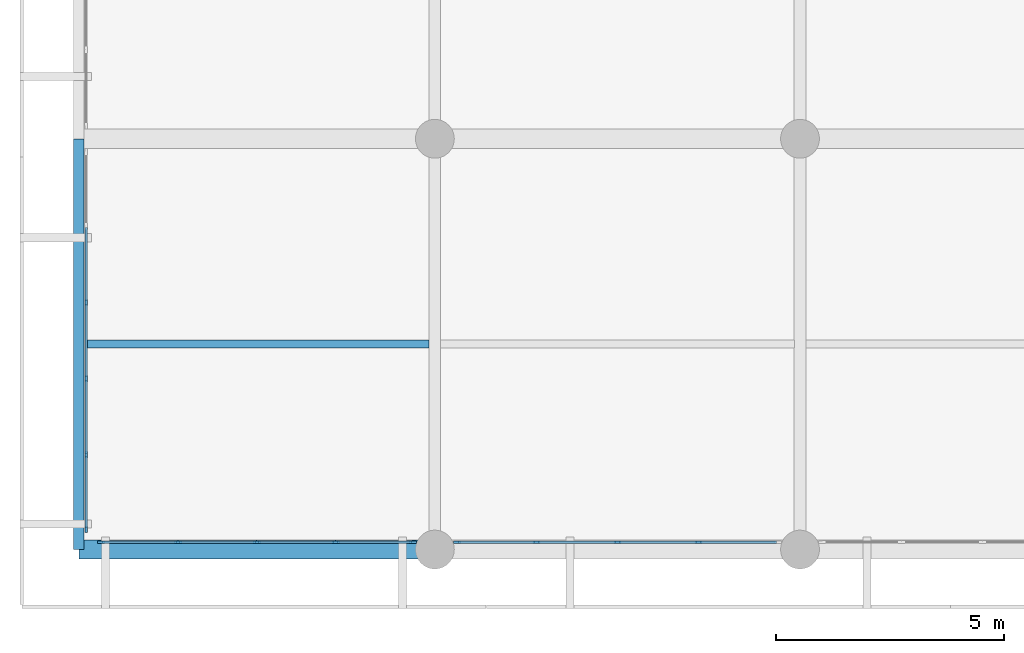
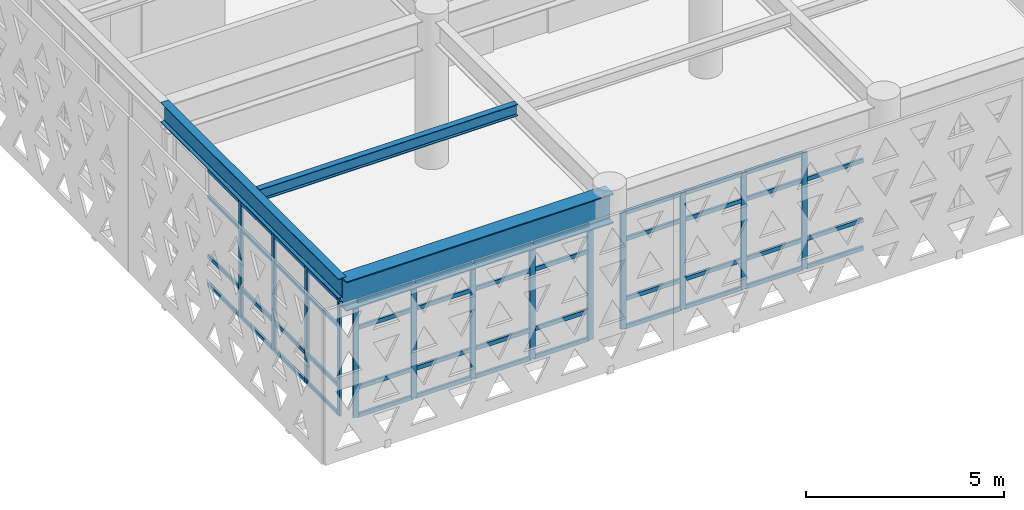
# One storey, part 6 of 54: 60 members, 3 beams, 3 elements without a shape of their own.
"""IFC4 building model written with IfcOpenShell, lengths in metres."""

from ifc_helpers import new_model, si_unit, direction, frame, origin, origin_2d, place, context, subcontext, project, spatial, rectangle, i_section, extrude, material, layer, layer_set, material_profile, profile_set, type_object, element, aggregate, save


model = new_model("IFC4")

# Units and contexts
model_context = context("Model", 3, precision=1e-05, world=origin(), true_north=direction((0.0, 1.0)))
body_context = subcontext(model_context, "Body", "Model", "MODEL_VIEW")
ifc_project = project(units=[si_unit("LENGTHUNIT", "METRE"), si_unit("AREAUNIT", "SQUARE_METRE"), si_unit("VOLUMEUNIT", "CUBIC_METRE"), si_unit("PLANEANGLEUNIT", "RADIAN"), si_unit("MASSUNIT", "GRAM", prefix="KILO")], contexts=[model_context])

# Site, building, storey
site_placement = place(None, origin())
site = spatial("IfcSite", under=ifc_project, at=site_placement, CompositionType="ELEMENT")
building_placement = place(site_placement, origin())
building = spatial("IfcBuilding", under=site, at=building_placement, Name="Tlacozan Convention Centre", CompositionType="ELEMENT")
storey_placement = place(building_placement, frame((0.0, 0.0, 11.39990234375)))
storey = spatial("IfcBuildingStorey", under=building, at=storey_placement, Name="L02", CompositionType="ELEMENT", Elevation=11.39990234375)

# Beam
ifc_material_1 = material(Name="Steel ASTM A992 Grade 50", Category="steel")
ifc_material_profile_1 = material_profile(ifc_material_1, i_section(OverallWidth=0.41796875, OverallDepth=0.912109375, WebThickness=0.019287109375, FlangeThickness=0.031982421875, FilletRadius=0.02001953125, at=origin_2d()), Name="IR 914x342.0")
ifc_profile_set_1 = profile_set([ifc_material_profile_1], Name="Steel ASTM A992 Grade 50")
beam_type_1 = type_object("IfcBeamType", Name="Cantilever Girder IR 914x342", PredefinedType="BEAM", material=ifc_profile_set_1)
beam_1_placement = place(storey_placement, frame((8.0, 0.0, 4.093994140625), z_axis=(-1.0, 0.0, 0.0), x_axis=(0.0, -1.0, 0.0)))
element("IfcBeam", 1, at=beam_1_placement, inside=storey, type_object=beam_type_1, Name="L02 Cantilever Girder IR 914x342 449", PredefinedType="BEAM", context=body_context, shape_type="SweptSolid", body=[
    extrude(i_section(OverallWidth=0.41796875, OverallDepth=0.912109375, WebThickness=0.019287109375, FlangeThickness=0.031982421875, FilletRadius=0.02001953125, at=origin_2d()), origin(), (0.0, 0.0, 1.0), 7.800048828125),
])

# Curtain wall, members
ifc_material_2 = material(Name="Dark Bronze Anodised Aluminium", Category="aluminium")
ifc_layer_1 = layer(ifc_material_2, 0.159912109375)
ifc_layer_set_1 = layer_set([ifc_layer_1], Name="Dark Bronze Anodised Aluminium")
curtain_wall_type_1 = type_object("IfcCurtainWallType", Name="Unitised Congress Gable End CW06", PredefinedType="NOTDEFINED", material=ifc_layer_set_1)
curtain_wall_1_placement = place(storey_placement, origin())
curtain_wall_1 = element("IfcCurtainWall", 2, at=curtain_wall_1_placement, inside=storey, type_object=curtain_wall_type_1, Name="L02 CW-06 Run 96", PredefinedType="NOTDEFINED")
ifc_material_profile_2 = material_profile(ifc_material_2, rectangle(XDim=0.06005859375, YDim=0.139892578125, at=origin_2d()), Name="ALU 60x140")
ifc_profile_set_2 = profile_set([ifc_material_profile_2], Name="Dark Bronze Anodised Aluminium")
member_type_1 = type_object("IfcMemberType", Name="Curtain Wall Light Mullion 60x140", PredefinedType="MULLION", material=ifc_profile_set_2)
member_1_placement = place(storey_placement, frame((0.360107421875, 0.43994140625, 0.0), z_axis=(0.0, 0.0, 1.0), x_axis=(-1.0, 0.0, 0.0)))
member_1 = element("IfcMember", 3, at=member_1_placement, type_object=member_type_1, Name="CW-06 mullion 1", PredefinedType="MULLION", context=body_context, shape_type="SweptSolid", body=[
    extrude(rectangle(XDim=0.06005859375, YDim=0.139892578125, at=origin_2d()), origin(), (0.0, 0.0, 1.0), 3.590087890625),
])
member_2_placement = place(storey_placement, frame((0.360107421875, 2.077880859375, 0.0), z_axis=(0.0, 0.0, 1.0), x_axis=(-1.0, 0.0, 0.0)))
member_2 = element("IfcMember", 4, at=member_2_placement, type_object=member_type_1, Name="CW-06 mullion 2", PredefinedType="MULLION", context=body_context, shape_type="SweptSolid", body=[
    extrude(rectangle(XDim=0.06005859375, YDim=0.139892578125, at=origin_2d()), origin(), (0.0, 0.0, 1.0), 3.590087890625),
])
member_3_placement = place(storey_placement, frame((0.360107421875, 3.74609375, 0.0), z_axis=(0.0, 0.0, 1.0), x_axis=(-1.0, 0.0, 0.0)))
member_3 = element("IfcMember", 5, at=member_3_placement, type_object=member_type_1, Name="CW-06 mullion 3", PredefinedType="MULLION", context=body_context, shape_type="SweptSolid", body=[
    extrude(rectangle(XDim=0.06005859375, YDim=0.139892578125, at=origin_2d()), origin(), (0.0, 0.0, 1.0), 3.590087890625),
])
member_4_placement = place(storey_placement, frame((0.360107421875, 5.4140625, 0.0), z_axis=(0.0, 0.0, 1.0), x_axis=(-1.0, 0.0, 0.0)))
member_4 = element("IfcMember", 6, at=member_4_placement, type_object=member_type_1, Name="CW-06 mullion 4", PredefinedType="MULLION", context=body_context, shape_type="SweptSolid", body=[
    extrude(rectangle(XDim=0.06005859375, YDim=0.139892578125, at=origin_2d()), origin(), (0.0, 0.0, 1.0), 3.590087890625),
])
ifc_material_profile_3 = material_profile(ifc_material_2, rectangle(XDim=0.06005859375, YDim=0.110107421875, at=origin_2d()), Name="ALU 60x110")
ifc_profile_set_3 = profile_set([ifc_material_profile_3], Name="Dark Bronze Anodised Aluminium")
member_type_2 = type_object("IfcMemberType", Name="Curtain Wall Light Transom 60x110", PredefinedType="USERDEFINED", material=ifc_profile_set_3)
member_5_placement = place(storey_placement, frame((0.360107421875, 0.469970703125, 0.030029296875), z_axis=(0.0, 1.0, 0.0), x_axis=(-1.0, 0.0, 0.0)))
member_5 = element("IfcMember", 7, at=member_5_placement, type_object=member_type_2, Name="CW-06 transom 1.1", ObjectType="TRANSOM", PredefinedType="USERDEFINED", context=body_context, shape_type="SweptSolid", body=[
    extrude(rectangle(XDim=0.06005859375, YDim=0.110107421875, at=origin_2d()), origin(), (0.0, 0.0, 1.0), 1.578125),
])
member_6_placement = place(storey_placement, frame((0.360107421875, 0.469970703125, 0.900146484375), z_axis=(0.0, 1.0, 0.0), x_axis=(-1.0, 0.0, 0.0)))
member_6 = element("IfcMember", 8, at=member_6_placement, type_object=member_type_2, Name="CW-06 transom 1.2", ObjectType="TRANSOM", PredefinedType="USERDEFINED", context=body_context, shape_type="SweptSolid", body=[
    extrude(rectangle(XDim=0.06005859375, YDim=0.110107421875, at=origin_2d()), origin(), (0.0, 0.0, 1.0), 1.578125),
])
member_7_placement = place(storey_placement, frame((0.360107421875, 0.469970703125, 2.739990234375), z_axis=(0.0, 1.0, 0.0), x_axis=(-1.0, 0.0, 0.0)))
member_7 = element("IfcMember", 9, at=member_7_placement, type_object=member_type_2, Name="CW-06 transom 1.3", ObjectType="TRANSOM", PredefinedType="USERDEFINED", context=body_context, shape_type="SweptSolid", body=[
    extrude(rectangle(XDim=0.06005859375, YDim=0.110107421875, at=origin_2d()), origin(), (0.0, 0.0, 1.0), 1.578125),
])
member_8_placement = place(storey_placement, frame((0.360107421875, 0.469970703125, 3.56005859375), z_axis=(0.0, 1.0, 0.0), x_axis=(-1.0, 0.0, 0.0)))
member_8 = element("IfcMember", 10, at=member_8_placement, type_object=member_type_2, Name="CW-06 transom 1.4", ObjectType="TRANSOM", PredefinedType="USERDEFINED", context=body_context, shape_type="SweptSolid", body=[
    extrude(rectangle(XDim=0.06005859375, YDim=0.110107421875, at=origin_2d()), origin(), (0.0, 0.0, 1.0), 1.578125),
])
member_9_placement = place(storey_placement, frame((0.360107421875, 2.10791015625, 0.030029296875), z_axis=(0.0, 1.0, 0.0), x_axis=(-1.0, 0.0, 0.0)))
member_9 = element("IfcMember", 11, at=member_9_placement, type_object=member_type_2, Name="CW-06 transom 2.1", ObjectType="TRANSOM", PredefinedType="USERDEFINED", context=body_context, shape_type="SweptSolid", body=[
    extrude(rectangle(XDim=0.06005859375, YDim=0.110107421875, at=origin_2d()), origin(), (0.0, 0.0, 1.0), 1.608154296875),
])
member_10_placement = place(storey_placement, frame((0.360107421875, 2.10791015625, 0.900146484375), z_axis=(0.0, 1.0, 0.0), x_axis=(-1.0, 0.0, 0.0)))
member_10 = element("IfcMember", 12, at=member_10_placement, type_object=member_type_2, Name="CW-06 transom 2.2", ObjectType="TRANSOM", PredefinedType="USERDEFINED", context=body_context, shape_type="SweptSolid", body=[
    extrude(rectangle(XDim=0.06005859375, YDim=0.110107421875, at=origin_2d()), origin(), (0.0, 0.0, 1.0), 1.608154296875),
])
member_11_placement = place(storey_placement, frame((0.360107421875, 2.10791015625, 2.739990234375), z_axis=(0.0, 1.0, 0.0), x_axis=(-1.0, 0.0, 0.0)))
member_11 = element("IfcMember", 13, at=member_11_placement, type_object=member_type_2, Name="CW-06 transom 2.3", ObjectType="TRANSOM", PredefinedType="USERDEFINED", context=body_context, shape_type="SweptSolid", body=[
    extrude(rectangle(XDim=0.06005859375, YDim=0.110107421875, at=origin_2d()), origin(), (0.0, 0.0, 1.0), 1.608154296875),
])
member_12_placement = place(storey_placement, frame((0.360107421875, 2.10791015625, 3.56005859375), z_axis=(0.0, 1.0, 0.0), x_axis=(-1.0, 0.0, 0.0)))
member_12 = element("IfcMember", 14, at=member_12_placement, type_object=member_type_2, Name="CW-06 transom 2.4", ObjectType="TRANSOM", PredefinedType="USERDEFINED", context=body_context, shape_type="SweptSolid", body=[
    extrude(rectangle(XDim=0.06005859375, YDim=0.110107421875, at=origin_2d()), origin(), (0.0, 0.0, 1.0), 1.608154296875),
])
member_13_placement = place(storey_placement, frame((0.360107421875, 3.77587890625, 0.030029296875), z_axis=(0.0, 1.0, 0.0), x_axis=(-1.0, 0.0, 0.0)))
member_13 = element("IfcMember", 15, at=member_13_placement, type_object=member_type_2, Name="CW-06 transom 3.1", ObjectType="TRANSOM", PredefinedType="USERDEFINED", context=body_context, shape_type="SweptSolid", body=[
    extrude(rectangle(XDim=0.06005859375, YDim=0.110107421875, at=origin_2d()), origin(), (0.0, 0.0, 1.0), 1.608154296875),
])
member_14_placement = place(storey_placement, frame((0.360107421875, 3.77587890625, 0.900146484375), z_axis=(0.0, 1.0, 0.0), x_axis=(-1.0, 0.0, 0.0)))
member_14 = element("IfcMember", 16, at=member_14_placement, type_object=member_type_2, Name="CW-06 transom 3.2", ObjectType="TRANSOM", PredefinedType="USERDEFINED", context=body_context, shape_type="SweptSolid", body=[
    extrude(rectangle(XDim=0.06005859375, YDim=0.110107421875, at=origin_2d()), origin(), (0.0, 0.0, 1.0), 1.608154296875),
])
member_15_placement = place(storey_placement, frame((0.360107421875, 3.77587890625, 2.739990234375), z_axis=(0.0, 1.0, 0.0), x_axis=(-1.0, 0.0, 0.0)))
member_15 = element("IfcMember", 17, at=member_15_placement, type_object=member_type_2, Name="CW-06 transom 3.3", ObjectType="TRANSOM", PredefinedType="USERDEFINED", context=body_context, shape_type="SweptSolid", body=[
    extrude(rectangle(XDim=0.06005859375, YDim=0.110107421875, at=origin_2d()), origin(), (0.0, 0.0, 1.0), 1.608154296875),
])
member_16_placement = place(storey_placement, frame((0.360107421875, 3.77587890625, 3.56005859375), z_axis=(0.0, 1.0, 0.0), x_axis=(-1.0, 0.0, 0.0)))
member_16 = element("IfcMember", 18, at=member_16_placement, type_object=member_type_2, Name="CW-06 transom 3.4", ObjectType="TRANSOM", PredefinedType="USERDEFINED", context=body_context, shape_type="SweptSolid", body=[
    extrude(rectangle(XDim=0.06005859375, YDim=0.110107421875, at=origin_2d()), origin(), (0.0, 0.0, 1.0), 1.608154296875),
])
member_17_placement = place(storey_placement, frame((0.360107421875, 5.444091796875, 0.030029296875), z_axis=(0.0, 1.0, 0.0), x_axis=(-1.0, 0.0, 0.0)))
member_17 = element("IfcMember", 19, at=member_17_placement, type_object=member_type_2, Name="CW-06 transom 4.1", ObjectType="TRANSOM", PredefinedType="USERDEFINED", context=body_context, shape_type="SweptSolid", body=[
    extrude(rectangle(XDim=0.06005859375, YDim=0.110107421875, at=origin_2d()), origin(), (0.0, 0.0, 1.0), 1.60791015625),
])
member_18_placement = place(storey_placement, frame((0.360107421875, 5.444091796875, 0.900146484375), z_axis=(0.0, 1.0, 0.0), x_axis=(-1.0, 0.0, 0.0)))
member_18 = element("IfcMember", 20, at=member_18_placement, type_object=member_type_2, Name="CW-06 transom 4.2", ObjectType="TRANSOM", PredefinedType="USERDEFINED", context=body_context, shape_type="SweptSolid", body=[
    extrude(rectangle(XDim=0.06005859375, YDim=0.110107421875, at=origin_2d()), origin(), (0.0, 0.0, 1.0), 1.60791015625),
])
member_19_placement = place(storey_placement, frame((0.360107421875, 5.444091796875, 2.739990234375), z_axis=(0.0, 1.0, 0.0), x_axis=(-1.0, 0.0, 0.0)))
member_19 = element("IfcMember", 21, at=member_19_placement, type_object=member_type_2, Name="CW-06 transom 4.3", ObjectType="TRANSOM", PredefinedType="USERDEFINED", context=body_context, shape_type="SweptSolid", body=[
    extrude(rectangle(XDim=0.06005859375, YDim=0.110107421875, at=origin_2d()), origin(), (0.0, 0.0, 1.0), 1.60791015625),
])
member_20_placement = place(storey_placement, frame((0.360107421875, 5.444091796875, 3.56005859375), z_axis=(0.0, 1.0, 0.0), x_axis=(-1.0, 0.0, 0.0)))
member_20 = element("IfcMember", 22, at=member_20_placement, type_object=member_type_2, Name="CW-06 transom 4.4", ObjectType="TRANSOM", PredefinedType="USERDEFINED", context=body_context, shape_type="SweptSolid", body=[
    extrude(rectangle(XDim=0.06005859375, YDim=0.110107421875, at=origin_2d()), origin(), (0.0, 0.0, 1.0), 1.60791015625),
])
aggregate(curtain_wall_1, [member_1, member_2, member_3, member_4, member_5, member_6, member_7, member_8, member_9, member_10, member_11, member_12, member_13, member_14, member_15, member_16, member_17, member_18, member_19, member_20])

ifc_layer_2 = layer(ifc_material_2, 0.159912109375)
ifc_layer_set_2 = layer_set([ifc_layer_2], Name="Dark Bronze Anodised Aluminium")
curtain_wall_type_2 = type_object("IfcCurtainWallType", Name="Unitised Congress L02 South CW03", PredefinedType="NOTDEFINED", material=ifc_layer_set_2)
curtain_wall_2_placement = place(storey_placement, origin())
curtain_wall_2 = element("IfcCurtainWall", 23, at=curtain_wall_2_placement, inside=storey, type_object=curtain_wall_type_2, Name="L02 CW-03 Run 78", PredefinedType="NOTDEFINED")
ifc_material_profile_4 = material_profile(ifc_material_2, rectangle(XDim=0.06494140625, YDim=0.159912109375, at=origin_2d()), Name="ALU 65x160")
ifc_profile_set_4 = profile_set([ifc_material_profile_4], Name="Dark Bronze Anodised Aluminium")
member_type_3 = type_object("IfcMemberType", Name="Curtain Wall Mullion 65x160", PredefinedType="MULLION", material=ifc_profile_set_4)
member_21_placement = place(storey_placement, frame((0.6826171875, 0.159912109375, 0.0), z_axis=(0.0, 0.0, 1.0), x_axis=(0.0, 1.0, 0.0)))
member_21 = element("IfcMember", 24, at=member_21_placement, type_object=member_type_3, Name="CW-03 mullion 1", PredefinedType="MULLION", context=body_context, shape_type="SweptSolid", body=[
    extrude(rectangle(XDim=0.06494140625, YDim=0.159912109375, at=origin_2d()), origin(), (0.0, 0.0, 1.0), 3.590087890625),
])
member_22_placement = place(storey_placement, frame((2.375, 0.159912109375, 0.0), z_axis=(0.0, 0.0, 1.0), x_axis=(0.0, 1.0, 0.0)))
member_22 = element("IfcMember", 25, at=member_22_placement, type_object=member_type_3, Name="CW-03 mullion 2", PredefinedType="MULLION", context=body_context, shape_type="SweptSolid", body=[
    extrude(rectangle(XDim=0.06494140625, YDim=0.159912109375, at=origin_2d()), origin(), (0.0, 0.0, 1.0), 3.590087890625),
])
member_23_placement = place(storey_placement, frame((4.10009765625, 0.159912109375, 0.0), z_axis=(0.0, 0.0, 1.0), x_axis=(0.0, 1.0, 0.0)))
member_23 = element("IfcMember", 26, at=member_23_placement, type_object=member_type_3, Name="CW-03 mullion 3", PredefinedType="MULLION", context=body_context, shape_type="SweptSolid", body=[
    extrude(rectangle(XDim=0.06494140625, YDim=0.159912109375, at=origin_2d()), origin(), (0.0, 0.0, 1.0), 3.590087890625),
])
member_24_placement = place(storey_placement, frame((5.824951171875, 0.159912109375, 0.0), z_axis=(0.0, 0.0, 1.0), x_axis=(0.0, 1.0, 0.0)))
member_24 = element("IfcMember", 27, at=member_24_placement, type_object=member_type_3, Name="CW-03 mullion 4", PredefinedType="MULLION", context=body_context, shape_type="SweptSolid", body=[
    extrude(rectangle(XDim=0.06494140625, YDim=0.159912109375, at=origin_2d()), origin(), (0.0, 0.0, 1.0), 3.590087890625),
])
member_25_placement = place(storey_placement, frame((7.517578125, 0.159912109375, 0.0), z_axis=(0.0, 0.0, 1.0), x_axis=(0.0, 1.0, 0.0)))
member_25 = element("IfcMember", 28, at=member_25_placement, type_object=member_type_3, Name="CW-03 mullion 5", PredefinedType="MULLION", context=body_context, shape_type="SweptSolid", body=[
    extrude(rectangle(XDim=0.06494140625, YDim=0.159912109375, at=origin_2d()), origin(), (0.0, 0.0, 1.0), 3.590087890625),
])

curtain_wall_3_placement = place(storey_placement, origin())
curtain_wall_3 = element("IfcCurtainWall", 29, at=curtain_wall_3_placement, inside=storey, type_object=curtain_wall_type_2, Name="L02 CW-03 Run 79", PredefinedType="NOTDEFINED")
member_26_placement = place(storey_placement, frame((8.482421875, 0.159912109375, 0.0), z_axis=(0.0, 0.0, 1.0), x_axis=(0.0, 1.0, 0.0)))
member_26 = element("IfcMember", 30, at=member_26_placement, type_object=member_type_3, Name="CW-03 mullion 1", PredefinedType="MULLION", context=body_context, shape_type="SweptSolid", body=[
    extrude(rectangle(XDim=0.06494140625, YDim=0.159912109375, at=origin_2d()), origin(), (0.0, 0.0, 1.0), 3.590087890625),
])
member_27_placement = place(storey_placement, frame((10.22509765625, 0.159912109375, 0.0), z_axis=(0.0, 0.0, 1.0), x_axis=(0.0, 1.0, 0.0)))
member_27 = element("IfcMember", 31, at=member_27_placement, type_object=member_type_3, Name="CW-03 mullion 2", PredefinedType="MULLION", context=body_context, shape_type="SweptSolid", body=[
    extrude(rectangle(XDim=0.06494140625, YDim=0.159912109375, at=origin_2d()), origin(), (0.0, 0.0, 1.0), 3.590087890625),
])
member_28_placement = place(storey_placement, frame((12.0, 0.159912109375, 0.0), z_axis=(0.0, 0.0, 1.0), x_axis=(0.0, 1.0, 0.0)))
member_28 = element("IfcMember", 32, at=member_28_placement, type_object=member_type_3, Name="CW-03 mullion 3", PredefinedType="MULLION", context=body_context, shape_type="SweptSolid", body=[
    extrude(rectangle(XDim=0.06494140625, YDim=0.159912109375, at=origin_2d()), origin(), (0.0, 0.0, 1.0), 3.590087890625),
])
member_29_placement = place(storey_placement, frame((13.77490234375, 0.159912109375, 0.0), z_axis=(0.0, 0.0, 1.0), x_axis=(0.0, 1.0, 0.0)))
member_29 = element("IfcMember", 33, at=member_29_placement, type_object=member_type_3, Name="CW-03 mullion 4", PredefinedType="MULLION", context=body_context, shape_type="SweptSolid", body=[
    extrude(rectangle(XDim=0.06494140625, YDim=0.159912109375, at=origin_2d()), origin(), (0.0, 0.0, 1.0), 3.590087890625),
])

# Member
ifc_material_profile_5 = material_profile(ifc_material_2, rectangle(XDim=0.06494140625, YDim=0.125, at=origin_2d()), Name="ALU 65x125")
ifc_profile_set_5 = profile_set([ifc_material_profile_5], Name="Dark Bronze Anodised Aluminium")
member_type_4 = type_object("IfcMemberType", Name="Curtain Wall Transom 65x125", PredefinedType="USERDEFINED", material=ifc_profile_set_5)
member_30_placement = place(storey_placement, frame((0.715087890625, 0.159912109375, 0.03271484375), z_axis=(1.0, 0.0, 0.0), x_axis=(0.0, 1.0, 0.0)))
member_30 = element("IfcMember", 34, at=member_30_placement, type_object=member_type_4, Name="CW-03 transom 1.1", ObjectType="TRANSOM", PredefinedType="USERDEFINED", context=body_context, shape_type="SweptSolid", body=[
    extrude(rectangle(XDim=0.06494140625, YDim=0.125, at=origin_2d()), origin(), (0.0, 0.0, 1.0), 1.62744140625),
])

member_31_placement = place(storey_placement, frame((0.715087890625, 0.159912109375, 0.900146484375), z_axis=(1.0, 0.0, 0.0), x_axis=(0.0, 1.0, 0.0)))
member_31 = element("IfcMember", 35, at=member_31_placement, type_object=member_type_4, Name="CW-03 transom 1.2", ObjectType="TRANSOM", PredefinedType="USERDEFINED", context=body_context, shape_type="SweptSolid", body=[
    extrude(rectangle(XDim=0.06494140625, YDim=0.125, at=origin_2d()), origin(), (0.0, 0.0, 1.0), 1.62744140625),
])

member_32_placement = place(storey_placement, frame((0.715087890625, 0.159912109375, 2.739990234375), z_axis=(1.0, 0.0, 0.0), x_axis=(0.0, 1.0, 0.0)))
member_32 = element("IfcMember", 36, at=member_32_placement, type_object=member_type_4, Name="CW-03 transom 1.3", ObjectType="TRANSOM", PredefinedType="USERDEFINED", context=body_context, shape_type="SweptSolid", body=[
    extrude(rectangle(XDim=0.06494140625, YDim=0.125, at=origin_2d()), origin(), (0.0, 0.0, 1.0), 1.62744140625),
])

member_33_placement = place(storey_placement, frame((0.715087890625, 0.159912109375, 3.5576171875), z_axis=(1.0, 0.0, 0.0), x_axis=(0.0, 1.0, 0.0)))
member_33 = element("IfcMember", 37, at=member_33_placement, type_object=member_type_4, Name="CW-03 transom 1.4", ObjectType="TRANSOM", PredefinedType="USERDEFINED", context=body_context, shape_type="SweptSolid", body=[
    extrude(rectangle(XDim=0.06494140625, YDim=0.125, at=origin_2d()), origin(), (0.0, 0.0, 1.0), 1.62744140625),
])

member_34_placement = place(storey_placement, frame((2.407470703125, 0.159912109375, 0.03271484375), z_axis=(1.0, 0.0, 0.0), x_axis=(0.0, 1.0, 0.0)))
member_34 = element("IfcMember", 38, at=member_34_placement, type_object=member_type_4, Name="CW-03 transom 2.1", ObjectType="TRANSOM", PredefinedType="USERDEFINED", context=body_context, shape_type="SweptSolid", body=[
    extrude(rectangle(XDim=0.06494140625, YDim=0.125, at=origin_2d()), origin(), (0.0, 0.0, 1.0), 1.659912109375),
])

member_35_placement = place(storey_placement, frame((2.407470703125, 0.159912109375, 0.900146484375), z_axis=(1.0, 0.0, 0.0), x_axis=(0.0, 1.0, 0.0)))
member_35 = element("IfcMember", 39, at=member_35_placement, type_object=member_type_4, Name="CW-03 transom 2.2", ObjectType="TRANSOM", PredefinedType="USERDEFINED", context=body_context, shape_type="SweptSolid", body=[
    extrude(rectangle(XDim=0.06494140625, YDim=0.125, at=origin_2d()), origin(), (0.0, 0.0, 1.0), 1.659912109375),
])

member_36_placement = place(storey_placement, frame((2.407470703125, 0.159912109375, 2.739990234375), z_axis=(1.0, 0.0, 0.0), x_axis=(0.0, 1.0, 0.0)))
member_36 = element("IfcMember", 40, at=member_36_placement, type_object=member_type_4, Name="CW-03 transom 2.3", ObjectType="TRANSOM", PredefinedType="USERDEFINED", context=body_context, shape_type="SweptSolid", body=[
    extrude(rectangle(XDim=0.06494140625, YDim=0.125, at=origin_2d()), origin(), (0.0, 0.0, 1.0), 1.659912109375),
])

member_37_placement = place(storey_placement, frame((2.407470703125, 0.159912109375, 3.5576171875), z_axis=(1.0, 0.0, 0.0), x_axis=(0.0, 1.0, 0.0)))
member_37 = element("IfcMember", 41, at=member_37_placement, type_object=member_type_4, Name="CW-03 transom 2.4", ObjectType="TRANSOM", PredefinedType="USERDEFINED", context=body_context, shape_type="SweptSolid", body=[
    extrude(rectangle(XDim=0.06494140625, YDim=0.125, at=origin_2d()), origin(), (0.0, 0.0, 1.0), 1.659912109375),
])

member_38_placement = place(storey_placement, frame((4.132568359375, 0.159912109375, 0.03271484375), z_axis=(1.0, 0.0, 0.0), x_axis=(0.0, 1.0, 0.0)))
member_38 = element("IfcMember", 42, at=member_38_placement, type_object=member_type_4, Name="CW-03 transom 3.1", ObjectType="TRANSOM", PredefinedType="USERDEFINED", context=body_context, shape_type="SweptSolid", body=[
    extrude(rectangle(XDim=0.06494140625, YDim=0.125, at=origin_2d()), origin(), (0.0, 0.0, 1.0), 1.659912109375),
])

member_39_placement = place(storey_placement, frame((4.132568359375, 0.159912109375, 0.900146484375), z_axis=(1.0, 0.0, 0.0), x_axis=(0.0, 1.0, 0.0)))
member_39 = element("IfcMember", 43, at=member_39_placement, type_object=member_type_4, Name="CW-03 transom 3.2", ObjectType="TRANSOM", PredefinedType="USERDEFINED", context=body_context, shape_type="SweptSolid", body=[
    extrude(rectangle(XDim=0.06494140625, YDim=0.125, at=origin_2d()), origin(), (0.0, 0.0, 1.0), 1.659912109375),
])

member_40_placement = place(storey_placement, frame((4.132568359375, 0.159912109375, 2.739990234375), z_axis=(1.0, 0.0, 0.0), x_axis=(0.0, 1.0, 0.0)))
member_40 = element("IfcMember", 44, at=member_40_placement, type_object=member_type_4, Name="CW-03 transom 3.3", ObjectType="TRANSOM", PredefinedType="USERDEFINED", context=body_context, shape_type="SweptSolid", body=[
    extrude(rectangle(XDim=0.06494140625, YDim=0.125, at=origin_2d()), origin(), (0.0, 0.0, 1.0), 1.659912109375),
])

member_41_placement = place(storey_placement, frame((4.132568359375, 0.159912109375, 3.5576171875), z_axis=(1.0, 0.0, 0.0), x_axis=(0.0, 1.0, 0.0)))
member_41 = element("IfcMember", 45, at=member_41_placement, type_object=member_type_4, Name="CW-03 transom 3.4", ObjectType="TRANSOM", PredefinedType="USERDEFINED", context=body_context, shape_type="SweptSolid", body=[
    extrude(rectangle(XDim=0.06494140625, YDim=0.125, at=origin_2d()), origin(), (0.0, 0.0, 1.0), 1.659912109375),
])

member_42_placement = place(storey_placement, frame((5.857421875, 0.159912109375, 0.03271484375), z_axis=(1.0, 0.0, 0.0), x_axis=(0.0, 1.0, 0.0)))
member_42 = element("IfcMember", 46, at=member_42_placement, type_object=member_type_4, Name="CW-03 transom 4.1", ObjectType="TRANSOM", PredefinedType="USERDEFINED", context=body_context, shape_type="SweptSolid", body=[
    extrude(rectangle(XDim=0.06494140625, YDim=0.125, at=origin_2d()), origin(), (0.0, 0.0, 1.0), 1.627685546875),
])

member_43_placement = place(storey_placement, frame((5.857421875, 0.159912109375, 0.900146484375), z_axis=(1.0, 0.0, 0.0), x_axis=(0.0, 1.0, 0.0)))
member_43 = element("IfcMember", 47, at=member_43_placement, type_object=member_type_4, Name="CW-03 transom 4.2", ObjectType="TRANSOM", PredefinedType="USERDEFINED", context=body_context, shape_type="SweptSolid", body=[
    extrude(rectangle(XDim=0.06494140625, YDim=0.125, at=origin_2d()), origin(), (0.0, 0.0, 1.0), 1.627685546875),
])

member_44_placement = place(storey_placement, frame((5.857421875, 0.159912109375, 2.739990234375), z_axis=(1.0, 0.0, 0.0), x_axis=(0.0, 1.0, 0.0)))
member_44 = element("IfcMember", 48, at=member_44_placement, type_object=member_type_4, Name="CW-03 transom 4.3", ObjectType="TRANSOM", PredefinedType="USERDEFINED", context=body_context, shape_type="SweptSolid", body=[
    extrude(rectangle(XDim=0.06494140625, YDim=0.125, at=origin_2d()), origin(), (0.0, 0.0, 1.0), 1.627685546875),
])

member_45_placement = place(storey_placement, frame((5.857421875, 0.159912109375, 3.5576171875), z_axis=(1.0, 0.0, 0.0), x_axis=(0.0, 1.0, 0.0)))
member_45 = element("IfcMember", 49, at=member_45_placement, type_object=member_type_4, Name="CW-03 transom 4.4", ObjectType="TRANSOM", PredefinedType="USERDEFINED", context=body_context, shape_type="SweptSolid", body=[
    extrude(rectangle(XDim=0.06494140625, YDim=0.125, at=origin_2d()), origin(), (0.0, 0.0, 1.0), 1.627685546875),
])

aggregate(curtain_wall_2, [member_21, member_22, member_23, member_24, member_25, member_30, member_31, member_32, member_33, member_34, member_35, member_36, member_37, member_38, member_39, member_40, member_41, member_42, member_43, member_44, member_45])

member_46_placement = place(storey_placement, frame((8.514892578125, 0.159912109375, 0.03271484375), z_axis=(1.0, 0.0, 0.0), x_axis=(0.0, 1.0, 0.0)))
member_46 = element("IfcMember", 50, at=member_46_placement, type_object=member_type_4, Name="CW-03 transom 1.1", ObjectType="TRANSOM", PredefinedType="USERDEFINED", context=body_context, shape_type="SweptSolid", body=[
    extrude(rectangle(XDim=0.06494140625, YDim=0.125, at=origin_2d()), origin(), (0.0, 0.0, 1.0), 1.677490234375),
])

member_47_placement = place(storey_placement, frame((8.514892578125, 0.159912109375, 0.900146484375), z_axis=(1.0, 0.0, 0.0), x_axis=(0.0, 1.0, 0.0)))
member_47 = element("IfcMember", 51, at=member_47_placement, type_object=member_type_4, Name="CW-03 transom 1.2", ObjectType="TRANSOM", PredefinedType="USERDEFINED", context=body_context, shape_type="SweptSolid", body=[
    extrude(rectangle(XDim=0.06494140625, YDim=0.125, at=origin_2d()), origin(), (0.0, 0.0, 1.0), 1.677490234375),
])

member_48_placement = place(storey_placement, frame((8.514892578125, 0.159912109375, 2.739990234375), z_axis=(1.0, 0.0, 0.0), x_axis=(0.0, 1.0, 0.0)))
member_48 = element("IfcMember", 52, at=member_48_placement, type_object=member_type_4, Name="CW-03 transom 1.3", ObjectType="TRANSOM", PredefinedType="USERDEFINED", context=body_context, shape_type="SweptSolid", body=[
    extrude(rectangle(XDim=0.06494140625, YDim=0.125, at=origin_2d()), origin(), (0.0, 0.0, 1.0), 1.677490234375),
])

member_49_placement = place(storey_placement, frame((8.514892578125, 0.159912109375, 3.5576171875), z_axis=(1.0, 0.0, 0.0), x_axis=(0.0, 1.0, 0.0)))
member_49 = element("IfcMember", 53, at=member_49_placement, type_object=member_type_4, Name="CW-03 transom 1.4", ObjectType="TRANSOM", PredefinedType="USERDEFINED", context=body_context, shape_type="SweptSolid", body=[
    extrude(rectangle(XDim=0.06494140625, YDim=0.125, at=origin_2d()), origin(), (0.0, 0.0, 1.0), 1.677490234375),
])

member_50_placement = place(storey_placement, frame((10.257568359375, 0.159912109375, 0.03271484375), z_axis=(1.0, 0.0, 0.0), x_axis=(0.0, 1.0, 0.0)))
member_50 = element("IfcMember", 54, at=member_50_placement, type_object=member_type_4, Name="CW-03 transom 2.1", ObjectType="TRANSOM", PredefinedType="USERDEFINED", context=body_context, shape_type="SweptSolid", body=[
    extrude(rectangle(XDim=0.06494140625, YDim=0.125, at=origin_2d()), origin(), (0.0, 0.0, 1.0), 1.7099609375),
])

member_51_placement = place(storey_placement, frame((10.257568359375, 0.159912109375, 0.900146484375), z_axis=(1.0, 0.0, 0.0), x_axis=(0.0, 1.0, 0.0)))
member_51 = element("IfcMember", 55, at=member_51_placement, type_object=member_type_4, Name="CW-03 transom 2.2", ObjectType="TRANSOM", PredefinedType="USERDEFINED", context=body_context, shape_type="SweptSolid", body=[
    extrude(rectangle(XDim=0.06494140625, YDim=0.125, at=origin_2d()), origin(), (0.0, 0.0, 1.0), 1.7099609375),
])

member_52_placement = place(storey_placement, frame((10.257568359375, 0.159912109375, 2.739990234375), z_axis=(1.0, 0.0, 0.0), x_axis=(0.0, 1.0, 0.0)))
member_52 = element("IfcMember", 56, at=member_52_placement, type_object=member_type_4, Name="CW-03 transom 2.3", ObjectType="TRANSOM", PredefinedType="USERDEFINED", context=body_context, shape_type="SweptSolid", body=[
    extrude(rectangle(XDim=0.06494140625, YDim=0.125, at=origin_2d()), origin(), (0.0, 0.0, 1.0), 1.7099609375),
])

member_53_placement = place(storey_placement, frame((10.257568359375, 0.159912109375, 3.5576171875), z_axis=(1.0, 0.0, 0.0), x_axis=(0.0, 1.0, 0.0)))
member_53 = element("IfcMember", 57, at=member_53_placement, type_object=member_type_4, Name="CW-03 transom 2.4", ObjectType="TRANSOM", PredefinedType="USERDEFINED", context=body_context, shape_type="SweptSolid", body=[
    extrude(rectangle(XDim=0.06494140625, YDim=0.125, at=origin_2d()), origin(), (0.0, 0.0, 1.0), 1.7099609375),
])

member_54_placement = place(storey_placement, frame((12.032470703125, 0.159912109375, 0.03271484375), z_axis=(1.0, 0.0, 0.0), x_axis=(0.0, 1.0, 0.0)))
member_54 = element("IfcMember", 58, at=member_54_placement, type_object=member_type_4, Name="CW-03 transom 3.1", ObjectType="TRANSOM", PredefinedType="USERDEFINED", context=body_context, shape_type="SweptSolid", body=[
    extrude(rectangle(XDim=0.06494140625, YDim=0.125, at=origin_2d()), origin(), (0.0, 0.0, 1.0), 1.7099609375),
])

member_55_placement = place(storey_placement, frame((12.032470703125, 0.159912109375, 0.900146484375), z_axis=(1.0, 0.0, 0.0), x_axis=(0.0, 1.0, 0.0)))
member_55 = element("IfcMember", 59, at=member_55_placement, type_object=member_type_4, Name="CW-03 transom 3.2", ObjectType="TRANSOM", PredefinedType="USERDEFINED", context=body_context, shape_type="SweptSolid", body=[
    extrude(rectangle(XDim=0.06494140625, YDim=0.125, at=origin_2d()), origin(), (0.0, 0.0, 1.0), 1.7099609375),
])

member_56_placement = place(storey_placement, frame((12.032470703125, 0.159912109375, 2.739990234375), z_axis=(1.0, 0.0, 0.0), x_axis=(0.0, 1.0, 0.0)))
member_56 = element("IfcMember", 60, at=member_56_placement, type_object=member_type_4, Name="CW-03 transom 3.3", ObjectType="TRANSOM", PredefinedType="USERDEFINED", context=body_context, shape_type="SweptSolid", body=[
    extrude(rectangle(XDim=0.06494140625, YDim=0.125, at=origin_2d()), origin(), (0.0, 0.0, 1.0), 1.7099609375),
])

member_57_placement = place(storey_placement, frame((12.032470703125, 0.159912109375, 3.5576171875), z_axis=(1.0, 0.0, 0.0), x_axis=(0.0, 1.0, 0.0)))
member_57 = element("IfcMember", 61, at=member_57_placement, type_object=member_type_4, Name="CW-03 transom 3.4", ObjectType="TRANSOM", PredefinedType="USERDEFINED", context=body_context, shape_type="SweptSolid", body=[
    extrude(rectangle(XDim=0.06494140625, YDim=0.125, at=origin_2d()), origin(), (0.0, 0.0, 1.0), 1.7099609375),
])

member_58_placement = place(storey_placement, frame((13.8076171875, 0.159912109375, 0.03271484375), z_axis=(1.0, 0.0, 0.0), x_axis=(0.0, 1.0, 0.0)))
member_58 = element("IfcMember", 62, at=member_58_placement, type_object=member_type_4, Name="CW-03 transom 4.1", ObjectType="TRANSOM", PredefinedType="USERDEFINED", context=body_context, shape_type="SweptSolid", body=[
    extrude(rectangle(XDim=0.06494140625, YDim=0.125, at=origin_2d()), origin(), (0.0, 0.0, 1.0), 1.677490234375),
])

member_59_placement = place(storey_placement, frame((13.8076171875, 0.159912109375, 0.900146484375), z_axis=(1.0, 0.0, 0.0), x_axis=(0.0, 1.0, 0.0)))
member_59 = element("IfcMember", 63, at=member_59_placement, type_object=member_type_4, Name="CW-03 transom 4.2", ObjectType="TRANSOM", PredefinedType="USERDEFINED", context=body_context, shape_type="SweptSolid", body=[
    extrude(rectangle(XDim=0.06494140625, YDim=0.125, at=origin_2d()), origin(), (0.0, 0.0, 1.0), 1.677490234375),
])

member_60_placement = place(storey_placement, frame((13.8076171875, 0.159912109375, 2.739990234375), z_axis=(1.0, 0.0, 0.0), x_axis=(0.0, 1.0, 0.0)))
member_60 = element("IfcMember", 64, at=member_60_placement, type_object=member_type_4, Name="CW-03 transom 4.3", ObjectType="TRANSOM", PredefinedType="USERDEFINED", context=body_context, shape_type="SweptSolid", body=[
    extrude(rectangle(XDim=0.06494140625, YDim=0.125, at=origin_2d()), origin(), (0.0, 0.0, 1.0), 1.677490234375),
])

aggregate(curtain_wall_3, [member_26, member_27, member_28, member_29, member_46, member_47, member_48, member_49, member_50, member_51, member_52, member_53, member_54, member_55, member_56, member_57, member_58, member_59, member_60])

# Beams
ifc_material_profile_6 = material_profile(ifc_material_1, i_section(OverallWidth=0.22900390625, OverallDepth=0.612060546875, WebThickness=0.011962890625, FlangeThickness=0.01953125, FilletRadius=0.012939453125, at=origin_2d()), Name="IR 610x125.0")
ifc_profile_set_6 = profile_set([ifc_material_profile_6], Name="Steel ASTM A992 Grade 50")
beam_type_2 = type_object("IfcBeamType", Name="Perimeter Spandrel IR 610x125", PredefinedType="SPANDREL", material=ifc_profile_set_6)
beam_2_placement = place(storey_placement, frame((0.199951171875, 0.0, 4.244140625), z_axis=(0.0, 1.0, 0.0), x_axis=(-1.0, 0.0, 0.0)))
element("IfcBeam", 65, at=beam_2_placement, inside=storey, type_object=beam_type_2, Name="L02 Perimeter Spandrel IR 610x125 442", PredefinedType="SPANDREL", context=body_context, shape_type="SweptSolid", body=[
    extrude(i_section(OverallWidth=0.22900390625, OverallDepth=0.612060546875, WebThickness=0.011962890625, FlangeThickness=0.01953125, FilletRadius=0.012939453125, at=origin_2d()), origin(), (0.0, 0.0, 1.0), 9.0),
])
ifc_material_profile_7 = material_profile(ifc_material_1, i_section(OverallWidth=0.173095703125, OverallDepth=0.364013671875, WebThickness=0.009033203125, FlangeThickness=0.015625, FilletRadius=0.010009765625, at=origin_2d()), Name="IR 356x67.1")
ifc_profile_set_7 = profile_set([ifc_material_profile_7], Name="Steel ASTM A992 Grade 50")
beam_type_3 = type_object("IfcBeamType", Name="Secondary Joist IR 356x67.1", PredefinedType="JOIST", material=ifc_profile_set_7)
beam_3_placement = place(storey_placement, frame((0.325927734375, 4.5, 4.3681640625), z_axis=(1.0, 0.0, 0.0), x_axis=(0.0, 1.0, 0.0)))
element("IfcBeam", 66, at=beam_3_placement, inside=storey, type_object=beam_type_3, Name="L02 Secondary Joist IR 356x67.1 500", PredefinedType="JOIST", context=body_context, shape_type="SweptSolid", body=[
    extrude(i_section(OverallWidth=0.173095703125, OverallDepth=0.364013671875, WebThickness=0.009033203125, FlangeThickness=0.015625, FilletRadius=0.010009765625, at=origin_2d()), origin(), (0.0, 0.0, 1.0), 7.548095703125),
])

save(model, "model.ifc")
